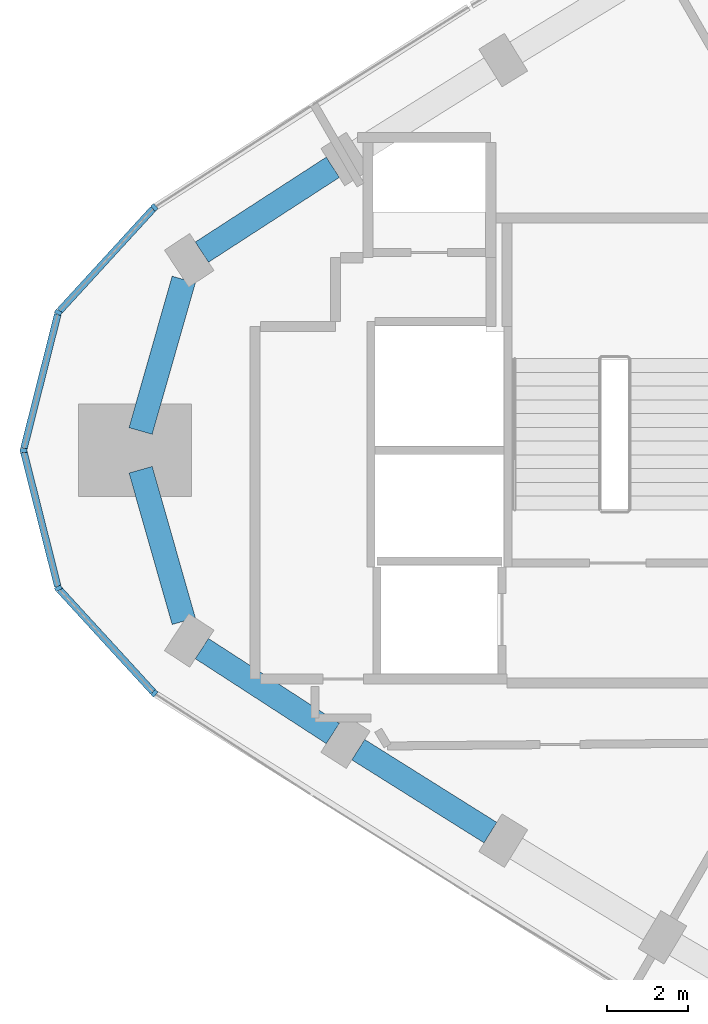
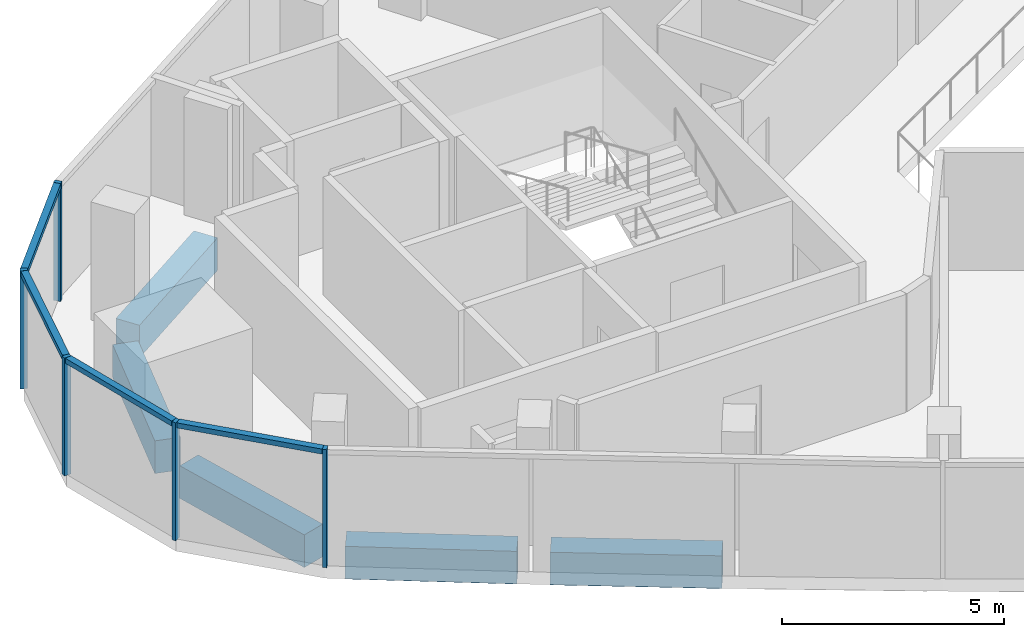
# One storey, part 2 of 11: 9 members, 5 beams, 2 elements without a shape of their own.
"""IFC4 building model written with IfcOpenShell, lengths in metres."""

from ifc_helpers import new_model, si_unit, direction, frame, origin, origin_2d, place, context, subcontext, project, spatial, rectangle, extrude, material, material_profile, profile_set, type_object, element, aggregate, save


model = new_model("IFC4")

# Units and contexts
model_context = context("Model", 3, precision=1e-05, world=origin(), true_north=direction((0.0, 1.0)))
body_context = subcontext(model_context, "Body", "Model", "MODEL_VIEW")
ifc_project = project(units=[si_unit("LENGTHUNIT", "METRE"), si_unit("AREAUNIT", "SQUARE_METRE"), si_unit("VOLUMEUNIT", "CUBIC_METRE"), si_unit("PLANEANGLEUNIT", "RADIAN"), si_unit("MASSUNIT", "GRAM", prefix="KILO")], contexts=[model_context])

# Site, building, storey
site_placement = place(None, origin())
site = spatial("IfcSite", under=ifc_project, at=site_placement, CompositionType="ELEMENT")
building_placement = place(site_placement, origin())
building = spatial("IfcBuilding", under=site, at=building_placement, Name="Tamra Quay Hotel Tower", CompositionType="ELEMENT")
storey_placement = place(building_placement, frame((0.0, 0.0, 225.0)))
storey = spatial("IfcBuildingStorey", under=building, at=storey_placement, Name="L56", CompositionType="ELEMENT", Elevation=225.0)

# Curtain wall, members
ifc_material_1 = material(Name="Aluminium 6063 anodised dark grey", Category="aluminium")
curtain_wall_type_1 = type_object("IfcCurtainWallType", Name="CW2 CURTAIN WALL", PredefinedType="NOTDEFINED", material=ifc_material_1)
curtain_wall_1_placement = place(storey_placement, origin())
curtain_wall_1 = element("IfcCurtainWall", 1, at=curtain_wall_1_placement, inside=storey, type_object=curtain_wall_type_1, Name="CW2 north-west face L56", PredefinedType="NOTDEFINED")
ifc_material_profile_1 = material_profile(ifc_material_1, rectangle(XDim=0.169921875, YDim=0.10009765625, at=origin_2d()), Name="MULLION 100X170")
ifc_profile_set_1 = profile_set([ifc_material_profile_1], Name="Aluminium 6063 anodised dark grey")
member_type_1 = type_object("IfcMemberType", Name="MULLION CW2 Z5", PredefinedType="MULLION", material=ifc_profile_set_1)
member_1_placement = place(storey_placement, frame((-24.941650390625, 6.034423828125, 0.0), z_axis=(0.0, 0.0, 1.0), x_axis=(-0.645846473255, 0.763467309702, 0.0)))
member_1 = element("IfcMember", 2, at=member_1_placement, type_object=member_type_1, Name="CW2 mullion L56.NW.9", PredefinedType="MULLION", context=body_context, shape_type="SweptSolid", body=[
    extrude(rectangle(XDim=0.169921875, YDim=0.10009765625, at=origin_2d()), origin(), (0.0, 0.0, 1.0), 3.25),
])
member_2_placement = place(storey_placement, frame((-27.329345703125, 3.427734375, 0.0), z_axis=(0.0, 0.0, 1.0), x_axis=(-0.880266804781, 0.474479032624, 0.0)))
member_2 = element("IfcMember", 3, at=member_2_placement, type_object=member_type_1, Name="CW2 mullion L56.NW.10", PredefinedType="MULLION", context=body_context, shape_type="SweptSolid", body=[
    extrude(rectangle(XDim=0.169921875, YDim=0.10009765625, at=origin_2d()), origin(), (0.0, 0.0, 1.0), 3.25),
])
member_3_placement = place(storey_placement, frame((-28.1943359375, 0.0, 0.0), z_axis=(0.0, 0.0, 1.0), x_axis=(-1.0, 0.0, 0.0)))
member_3 = element("IfcMember", 4, at=member_3_placement, type_object=member_type_1, Name="CW2 mullion L56.NW.11", PredefinedType="MULLION", context=body_context, shape_type="SweptSolid", body=[
    extrude(rectangle(XDim=0.169921875, YDim=0.10009765625, at=origin_2d()), origin(), (0.0, 0.0, 1.0), 3.25),
])
member_4_placement = place(storey_placement, frame((-27.329345703125, -3.427734375, 0.0), z_axis=(0.0, 0.0, 1.0), x_axis=(-0.880266804781, -0.474479032624, 0.0)))
member_4 = element("IfcMember", 5, at=member_4_placement, type_object=member_type_1, Name="CW2 mullion L56.NW.12", PredefinedType="MULLION", context=body_context, shape_type="SweptSolid", body=[
    extrude(rectangle(XDim=0.169921875, YDim=0.10009765625, at=origin_2d()), origin(), (0.0, 0.0, 1.0), 3.25),
])

# Curtain wall, member
curtain_wall_type_2 = type_object("IfcCurtainWallType", Name="CW3 CURTAIN WALL", PredefinedType="NOTDEFINED", material=ifc_material_1)
curtain_wall_2_placement = place(storey_placement, origin())
curtain_wall_2 = element("IfcCurtainWall", 6, at=curtain_wall_2_placement, inside=storey, type_object=curtain_wall_type_2, Name="CW3 south-west face L56", PredefinedType="NOTDEFINED")
ifc_material_profile_2 = material_profile(ifc_material_1, rectangle(XDim=0.169921875, YDim=0.10009765625, at=origin_2d()), Name="MULLION 100X170")
ifc_profile_set_2 = profile_set([ifc_material_profile_2], Name="Aluminium 6063 anodised dark grey")
member_type_2 = type_object("IfcMemberType", Name="MULLION CW3 Z5", PredefinedType="MULLION", material=ifc_profile_set_2)
member_5_placement = place(storey_placement, frame((-24.941650390625, -6.034423828125, 0.0), z_axis=(0.0, 0.0, 1.0), x_axis=(-0.645846473255, -0.763467309702, 0.0)))
member_5 = element("IfcMember", 7, at=member_5_placement, type_object=member_type_2, Name="CW3 mullion L56.SW.1", PredefinedType="MULLION", context=body_context, shape_type="SweptSolid", body=[
    extrude(rectangle(XDim=0.169921875, YDim=0.10009765625, at=origin_2d()), origin(), (0.0, 0.0, 1.0), 3.25),
])
aggregate(curtain_wall_2, [member_5])

# Beams
ifc_material_2 = material(Name="Concrete M60", Category="concrete")
ifc_material_profile_3 = material_profile(ifc_material_2, rectangle(XDim=0.60009765625, YDim=0.89990234375, at=origin_2d()), Name="SPANDREL BEAM RC 600x900")
ifc_profile_set_3 = profile_set([ifc_material_profile_3], Name="Concrete M60")
beam_type = type_object("IfcBeamType", Name="SPANDREL BEAM RC 600x900", PredefinedType="SPANDREL", material=ifc_profile_set_3)
beam_1_placement = place(storey_placement, frame((-20.509521484375, 7.03125, -0.800048828125), z_axis=(-0.839181205466, -0.543851914029, 0.0), x_axis=(0.543851914029, -0.839181205466, 0.0)))
element("IfcBeam", 8, at=beam_1_placement, inside=storey, type_object=beam_type, Name="BM-SP5-017-L56", PredefinedType="SPANDREL", context=body_context, shape_type="SweptSolid", body=[
    extrude(rectangle(XDim=0.60009765625, YDim=0.89990234375, at=origin_2d()), origin(), (0.0, 0.0, 1.0), 3.87548828125),
])
for number, where, z_axis, x_axis, name in (
    (9, (-24.2119140625, 4.24365234375, -0.800048828125), (-0.273913429616, -0.961754351732, 0.0), (0.961754351732, -0.273913429616, 0.0), "BM-SP5-018-L56"),
    (10, (-25.28369140625, -0.48046875, -0.800048828125), (0.273913429616, -0.961754351732, 0.0), (0.961754351732, 0.273913429616, 0.0), "BM-SP5-019-L56"),
):
    element("IfcBeam", number, at=place(storey_placement, frame(where, z_axis=z_axis, x_axis=x_axis)), inside=storey, type_object=beam_type, Name=name, PredefinedType="SPANDREL", context=body_context, shape_type="SweptSolid", body=[
        extrude(rectangle(XDim=0.60009765625, YDim=0.89990234375, at=origin_2d()), origin(), (0.0, 0.0, 1.0), 3.912841796875),
    ])
beam_2_placement = place(storey_placement, frame((-23.76171875, -4.923583984375, -0.800048828125), z_axis=(0.839181205466, -0.543851914029, 0.0), x_axis=(0.543851914029, 0.839181205466, 0.0)))
element("IfcBeam", 11, at=beam_2_placement, inside=storey, type_object=beam_type, Name="BM-SP5-020-L56", PredefinedType="SPANDREL", context=body_context, shape_type="SweptSolid", body=[
    extrude(rectangle(XDim=0.60009765625, YDim=0.89990234375, at=origin_2d()), origin(), (0.0, 0.0, 1.0), 3.87548828125),
])
beam_3_placement = place(storey_placement, frame((-19.877197265625, -7.4345703125, -0.800048828125), z_axis=(0.847066119134, -0.53148752555, 0.0), x_axis=(0.53148752555, 0.847066119134, 0.0)))
element("IfcBeam", 12, at=beam_3_placement, inside=storey, type_object=beam_type, Name="BM-SP5-021-L56", PredefinedType="SPANDREL", context=body_context, shape_type="SweptSolid", body=[
    extrude(rectangle(XDim=0.60009765625, YDim=0.89990234375, at=origin_2d()), origin(), (0.0, 0.0, 1.0), 3.875),
])

# Member
ifc_material_profile_4 = material_profile(ifc_material_1, rectangle(XDim=0.169921875, YDim=0.139892578125, at=origin_2d()), Name="TRANSOM 170X140")
ifc_profile_set_4 = profile_set([ifc_material_profile_4], Name="Aluminium 6063 anodised dark grey")
member_type_3 = type_object("IfcMemberType", Name="TRANSOM CW2 Z5", PredefinedType="USERDEFINED", material=ifc_profile_set_4)
member_6_placement = place(storey_placement, frame((-24.975341796875, 5.99755859375, 3.179931640625), z_axis=(-0.675476773907, -0.737381263603, 0.0), x_axis=(0.737381263603, -0.675476773907, 0.0)))
member_6 = element("IfcMember", 13, at=member_6_placement, type_object=member_type_3, Name="CW2 transom L56.NW.9", ObjectType="TRANSOM", PredefinedType="USERDEFINED", context=body_context, shape_type="SweptSolid", body=[
    extrude(rectangle(XDim=0.169921875, YDim=0.139892578125, at=origin_2d()), origin(), (0.0, 0.0, 1.0), 3.43505859375),
])

member_7_placement = place(storey_placement, frame((-27.341552734375, 3.379150390625, 3.179931640625), z_axis=(-0.244709055597, -0.969596554299, 0.0), x_axis=(0.969596554299, -0.244709055597, 0.0)))
member_7 = element("IfcMember", 14, at=member_7_placement, type_object=member_type_3, Name="CW2 transom L56.NW.10", ObjectType="TRANSOM", PredefinedType="USERDEFINED", context=body_context, shape_type="SweptSolid", body=[
    extrude(rectangle(XDim=0.169921875, YDim=0.139892578125, at=origin_2d()), origin(), (0.0, 0.0, 1.0), 3.43505859375),
])

member_8_placement = place(storey_placement, frame((-28.18212890625, -0.048583984375, 3.179931640625), z_axis=(0.244709055597, -0.969596554299, 0.0), x_axis=(0.969596554299, 0.244709055597, 0.0)))
member_8 = element("IfcMember", 15, at=member_8_placement, type_object=member_type_3, Name="CW2 transom L56.NW.11", ObjectType="TRANSOM", PredefinedType="USERDEFINED", context=body_context, shape_type="SweptSolid", body=[
    extrude(rectangle(XDim=0.169921875, YDim=0.139892578125, at=origin_2d()), origin(), (0.0, 0.0, 1.0), 3.43505859375),
])

member_9_placement = place(storey_placement, frame((-27.295654296875, -3.464599609375, 3.179931640625), z_axis=(0.675476773907, -0.737381263603, 0.0), x_axis=(0.737381263603, 0.675476773907, 0.0)))
member_9 = element("IfcMember", 16, at=member_9_placement, type_object=member_type_3, Name="CW2 transom L56.NW.12", ObjectType="TRANSOM", PredefinedType="USERDEFINED", context=body_context, shape_type="SweptSolid", body=[
    extrude(rectangle(XDim=0.169921875, YDim=0.139892578125, at=origin_2d()), origin(), (0.0, 0.0, 1.0), 3.43505859375),
])

aggregate(curtain_wall_1, [member_1, member_6, member_2, member_7, member_3, member_8, member_4, member_9])

save(model, "model.ifc")
